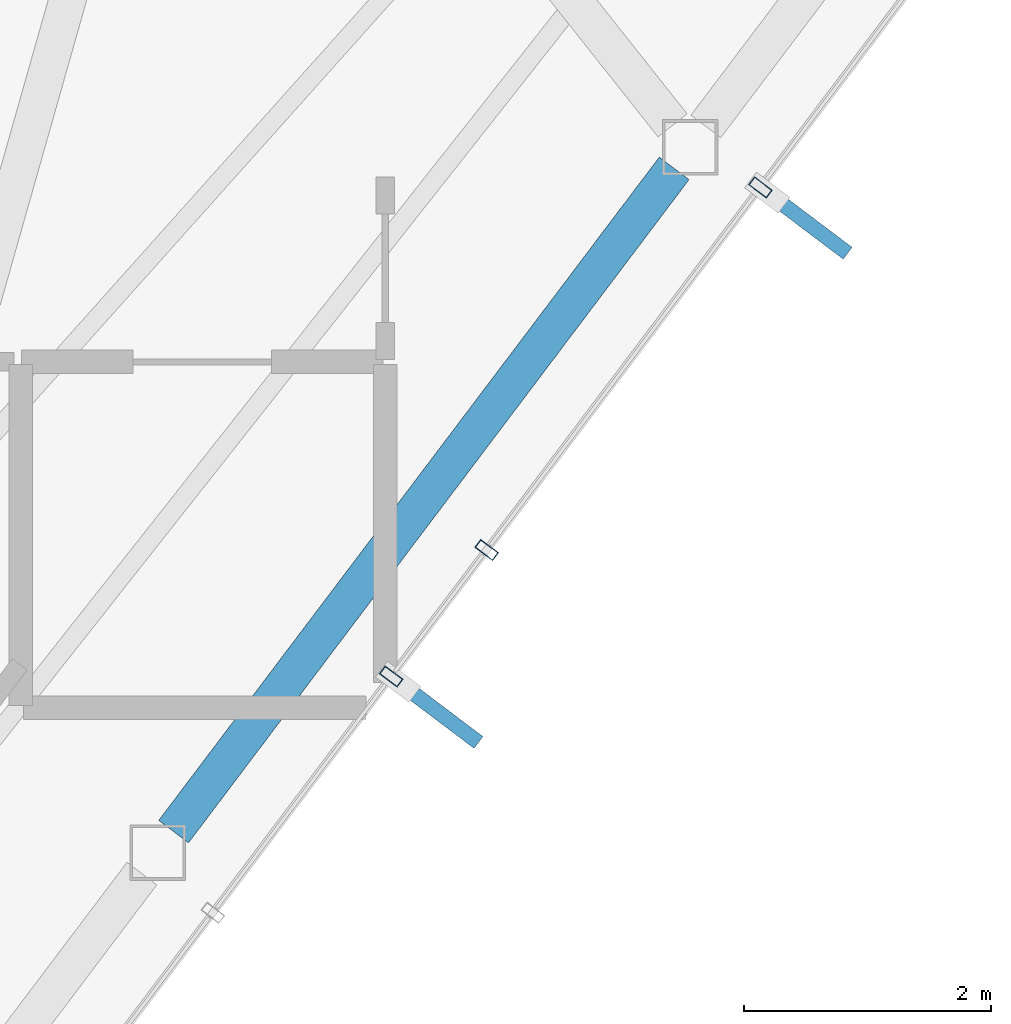
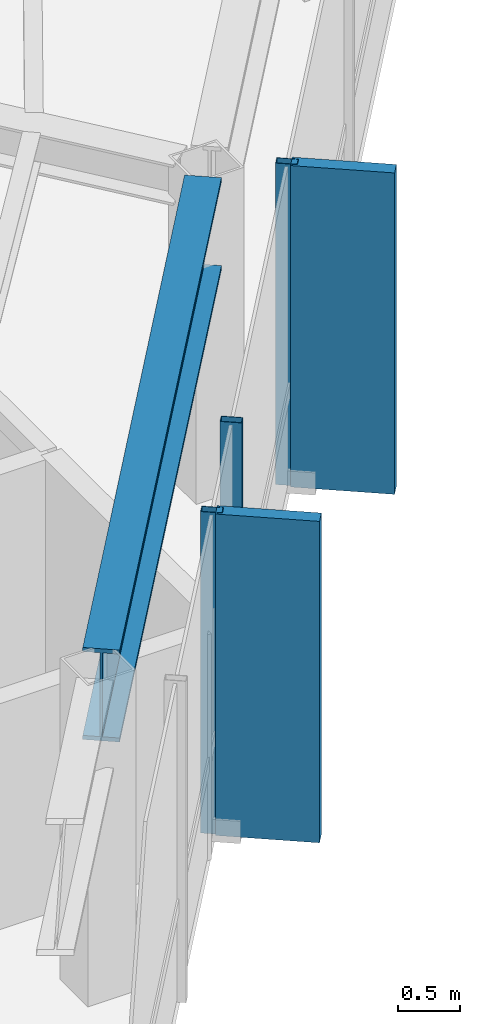
# One storey, part 15 of 23: 5 members, 1 beam, 1 element without a shape of its own.
"""IFC4 building model written with IfcOpenShell, lengths in metres."""

from ifc_helpers import new_model, si_unit, direction, frame, origin, origin_2d, place, context, subcontext, project, spatial, rectangle, hollow_rectangle, i_section, extrude, material, layer, layer_set, material_profile, profile_set, type_object, element, aggregate, save


model = new_model("IFC4")

# Units and contexts
model_context = context("Model", 3, precision=1e-05, world=origin(), true_north=direction((0.0, 1.0)))
body_context = subcontext(model_context, "Body", "Model", "MODEL_VIEW")
ifc_project = project(units=[si_unit("LENGTHUNIT", "METRE"), si_unit("AREAUNIT", "SQUARE_METRE"), si_unit("VOLUMEUNIT", "CUBIC_METRE"), si_unit("PLANEANGLEUNIT", "RADIAN"), si_unit("MASSUNIT", "GRAM", prefix="KILO")], contexts=[model_context])

# Site, building, storey
site_placement = place(None, origin())
site = spatial("IfcSite", under=ifc_project, at=site_placement, CompositionType="ELEMENT")
building_placement = place(site_placement, origin())
building = spatial("IfcBuilding", under=site, at=building_placement, Name="Zarrinselat Tower", CompositionType="ELEMENT")
storey_placement = place(building_placement, frame((0.0, 0.0, 278.800048828125)))
storey = spatial("IfcBuildingStorey", under=building, at=storey_placement, Name="L71", CompositionType="ELEMENT", Elevation=278.800048828125)

# Beam
ifc_material_1 = material(Name="Steel S460M", Category="steel")
ifc_material_profile_1 = material_profile(ifc_material_1, i_section(OverallWidth=0.302001953125, OverallDepth=0.909912109375, WebThickness=0.02099609375, FlangeThickness=0.0400390625, at=origin_2d()), Name="HEM 900")
ifc_profile_set_1 = profile_set([ifc_material_profile_1], Name="Steel S460M")
beam_type = type_object("IfcBeamType", Name="BM-HEM900", PredefinedType="BEAM", material=ifc_profile_set_1)
beam_placement = place(storey_placement, frame((46.63623046875, 26.347900390625, 2.724853515625), z_axis=(0.602447918668, 0.798158195656, 0.0), x_axis=(-0.798158195656, 0.602447918668, 0.0)))
element("IfcBeam", 1, at=beam_placement, inside=storey, type_object=beam_type, Name="L71 Perimeter Spandrel Girder SP12", PredefinedType="BEAM", context=body_context, shape_type="SweptSolid", body=[
    extrude(i_section(OverallWidth=0.302001953125, OverallDepth=0.909912109375, WebThickness=0.02099609375, FlangeThickness=0.0400390625, at=origin_2d()), origin(), (0.0, 0.0, 1.0), 6.726318359375),
])

# Curtain wall, members
ifc_material_2 = material(Name="Extruded Aluminium Alloy EN AW-6063 T6", Category="aluminium")
ifc_layer = layer(ifc_material_2, 0.199951171875)
ifc_layer_set = layer_set([ifc_layer], Name="Extruded Aluminium Alloy EN AW-6063 T6")
curtain_wall_type = type_object("IfcCurtainWallType", Name="CWS-BLADE", PredefinedType="NOTDEFINED", material=ifc_layer_set)
curtain_wall_placement = place(storey_placement, origin())
curtain_wall = element("IfcCurtainWall", 2, at=curtain_wall_placement, inside=storey, type_object=curtain_wall_type, Name="L71 Unitised Curtain Wall CW-L71-E05", PredefinedType="NOTDEFINED")
ifc_material_3 = material(Name="Extruded Aluminium Alloy EN AW-6063 T6", Category="aluminium")
ifc_material_profile_2 = material_profile(ifc_material_3, hollow_rectangle(XDim=0.080078125, YDim=0.179931640625, WallThickness=0.0048828125, at=origin_2d()), Name="RHS 180x80x5")
ifc_profile_set_2 = profile_set([ifc_material_profile_2], Name="Extruded Aluminium Alloy EN AW-6063 T6")
member_type_1 = type_object("IfcMemberType", Name="MEM-CW-MUL", PredefinedType="MULLION", material=ifc_profile_set_2)
member_1_placement = place(storey_placement, frame((48.39794921875, 27.602783203125, 0.0), z_axis=(0.0, 0.0, 1.0), x_axis=(0.602445101176, 0.798160322284, 0.0)))
member_1 = element("IfcMember", 3, at=member_1_placement, type_object=member_type_1, Name="CW-L71-E05 Mullion 3", PredefinedType="MULLION", context=body_context, shape_type="SweptSolid", body=[
    extrude(hollow_rectangle(XDim=0.080078125, YDim=0.179931640625, WallThickness=0.0048828125, at=origin_2d()), origin(), (0.0, 0.0, 1.0), 3.179931640625),
])
member_2_placement = place(storey_placement, frame((49.170654296875, 28.626708984375, 0.0), z_axis=(0.0, 0.0, 1.0), x_axis=(0.602445101176, 0.798160322284, 0.0)))
member_2 = element("IfcMember", 4, at=member_2_placement, type_object=member_type_1, Name="CW-L71-E05 Mullion 4", PredefinedType="MULLION", context=body_context, shape_type="SweptSolid", body=[
    extrude(hollow_rectangle(XDim=0.080078125, YDim=0.179931640625, WallThickness=0.0048828125, at=origin_2d()), origin(), (0.0, 0.0, 1.0), 3.179931640625),
])
member_3_placement = place(storey_placement, frame((51.386474609375, 31.5625, 0.0), z_axis=(0.0, 0.0, 1.0), x_axis=(0.602445101176, 0.798160322284, 0.0)))
member_3 = element("IfcMember", 5, at=member_3_placement, type_object=member_type_1, Name="CW-L71-E05 Mullion 5", PredefinedType="MULLION", context=body_context, shape_type="SweptSolid", body=[
    extrude(hollow_rectangle(XDim=0.080078125, YDim=0.179931640625, WallThickness=0.0048828125, at=origin_2d()), origin(), (0.0, 0.0, 1.0), 3.179931640625),
])
ifc_material_4 = material(Name="Honed Cream Travertine Stone", Category="masonry")
ifc_material_profile_3 = material_profile(ifc_material_4, rectangle(XDim=0.1201171875, YDim=0.85009765625, at=origin_2d()), Name="FIN 850x120")
ifc_profile_set_3 = profile_set([ifc_material_profile_3], Name="Honed Cream Travertine Stone")
member_type_2 = type_object("IfcMemberType", Name="MEM-STONE-FIN", PredefinedType="USERDEFINED", material=ifc_profile_set_3)
member_4_placement = place(storey_placement, frame((48.76513671875, 27.32568359375, 0.0), z_axis=(0.0, 0.0, 1.0), x_axis=(-0.602445101176, -0.798160322284, 0.0)))
member_4 = element("IfcMember", 6, at=member_4_placement, type_object=member_type_2, Name="L71 Stone Shading Fin CW-L71-E05-03", ObjectType="FIN", PredefinedType="USERDEFINED", context=body_context, shape_type="SweptSolid", body=[
    extrude(rectangle(XDim=0.1201171875, YDim=0.85009765625, at=origin_2d()), origin(), (0.0, 0.0, 1.0), 3.179931640625),
])
member_5_placement = place(storey_placement, frame((51.753662109375, 31.285400390625, 0.0), z_axis=(0.0, 0.0, 1.0), x_axis=(-0.602445101176, -0.798160322284, 0.0)))
member_5 = element("IfcMember", 7, at=member_5_placement, type_object=member_type_2, Name="L71 Stone Shading Fin CW-L71-E05-05", ObjectType="FIN", PredefinedType="USERDEFINED", context=body_context, shape_type="SweptSolid", body=[
    extrude(rectangle(XDim=0.1201171875, YDim=0.85009765625, at=origin_2d()), origin(), (0.0, 0.0, 1.0), 3.179931640625),
])
aggregate(curtain_wall, [member_1, member_4, member_2, member_3, member_5])

save(model, "model.ifc")
